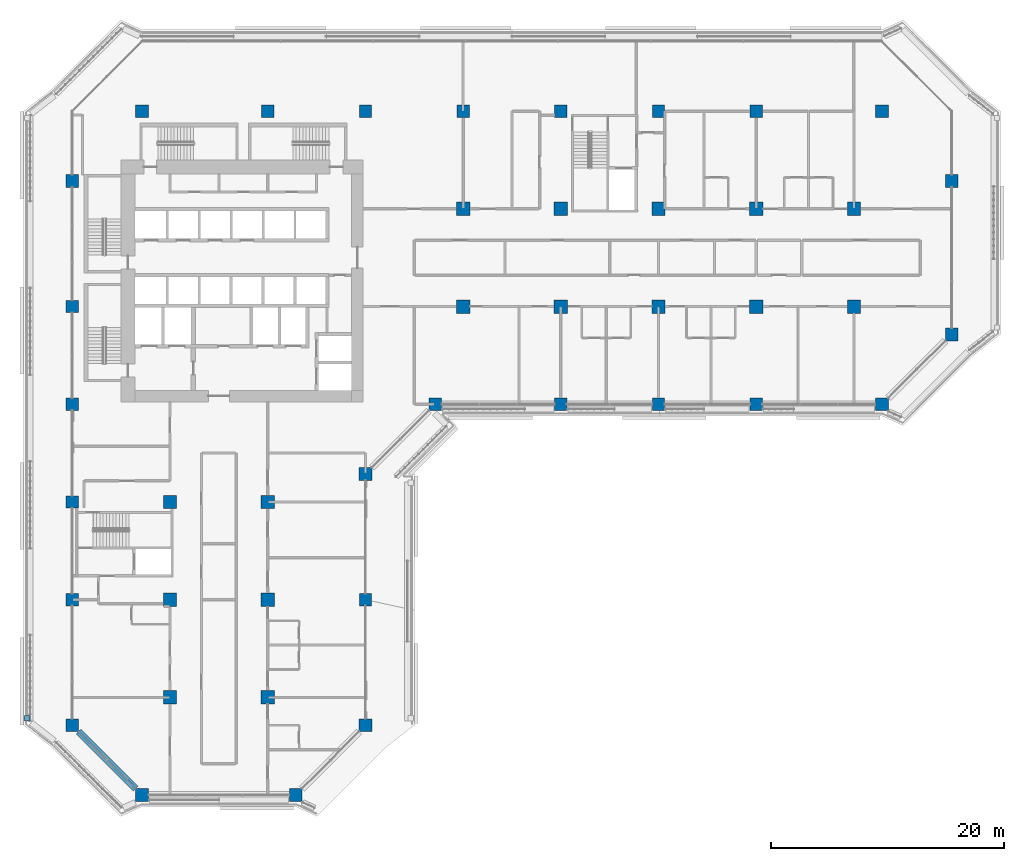
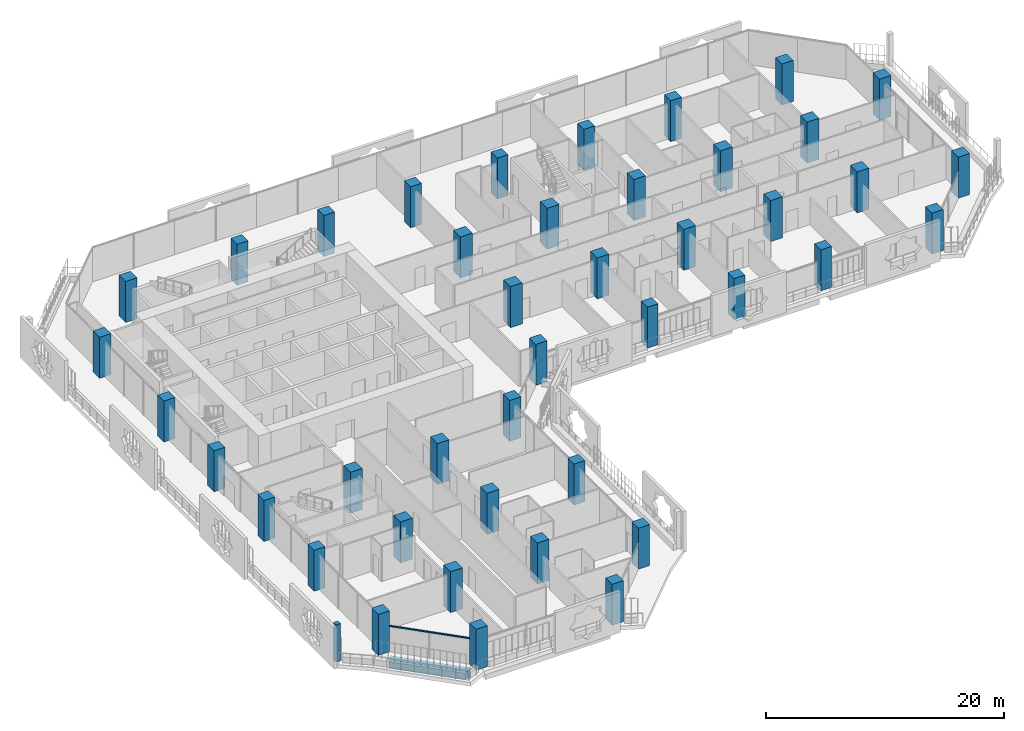
# One storey, part 1 of 25: 42 columns, 2 members, 1 beam, 2 elements without a shape of their own.
"""IFC4 building model written with IfcOpenShell, lengths in metres."""

from ifc_helpers import new_model, si_unit, direction, frame, origin, origin_2d, place, context, subcontext, project, spatial, rectangle, extrude, material, layer, layer_set, material_profile, profile_set, type_object, element, aggregate, save


model = new_model("IFC4")

# Units and contexts
model_context = context("Model", 3, precision=1e-05, world=origin(), true_north=direction((0.0, 1.0)))
body_context = subcontext(model_context, "Body", "Model", "MODEL_VIEW")
ifc_project = project(units=[si_unit("LENGTHUNIT", "METRE"), si_unit("AREAUNIT", "SQUARE_METRE"), si_unit("VOLUMEUNIT", "CUBIC_METRE"), si_unit("PLANEANGLEUNIT", "RADIAN"), si_unit("MASSUNIT", "GRAM", prefix="KILO")], contexts=[model_context])

# Site, building, storey
site_placement = place(None, origin())
site = spatial("IfcSite", under=ifc_project, at=site_placement, CompositionType="ELEMENT")
building_placement = place(site_placement, origin())
building = spatial("IfcBuilding", under=site, at=building_placement, Name="Kawkab Arch Medical Tower", CompositionType="ELEMENT")
storey_placement = place(building_placement, frame((0.0, 0.0, 145.0)))
storey = spatial("IfcBuildingStorey", under=building, at=storey_placement, Name="L33", CompositionType="ELEMENT", Elevation=145.0)

# Columns
ifc_material_1 = material(Name="Concrete C55/67", Category="concrete")
ifc_material_profile_1 = material_profile(ifc_material_1, rectangle(XDim=1.050048828125, YDim=1.050048828125, at=origin_2d()), Name="RC 1050x1050")
ifc_profile_set_1 = profile_set([ifc_material_profile_1], Name="Concrete C55/67")
column_type_1 = type_object("IfcColumnType", Name="RC 1050x1050 column C55/67", PredefinedType="COLUMN", material=ifc_profile_set_1)
for number, where, z_axis, x_axis, name in (
    (1, (16.800048828125, 0.0, 0.0), (0.0, 0.0, 1.0), (1.0, 0.0, 0.0), "Column RC 1050x1050"),
    (2, (25.199951171875, 0.0, 0.0), (0.0, 0.0, 1.0), (1.0, 0.0, 0.0), "Column RC 1050x1050"),
    (3, (33.60009765625, 0.0, 0.0), (0.0, 0.0, 1.0), (1.0, 0.0, 0.0), "Column RC 1050x1050"),
    (4, (42.0, 0.0, 0.0), (0.0, 0.0, 1.0), (1.0, 0.0, 0.0), "Column RC 1050x1050"),
    (5, (50.39990234375, 0.0, 0.0), (0.0, 0.0, 1.0), (1.0, 0.0, 0.0), "Column RC 1050x1050"),
    (6, (58.800048828125, 0.0, 0.0), (0.0, 0.0, 1.0), (1.0, 0.0, 0.0), "Column RC 1050x1050"),
    (7, (0.0, -16.800048828125, 0.0), (0.0, 0.0, 1.0), (1.0, 0.0, 0.0), "Column RC 1050x1050"),
    (8, (0.0, -25.199951171875, 0.0), (0.0, 0.0, 1.0), (1.0, 0.0, 0.0), "Column RC 1050x1050"),
    (9, (42.0, -25.199951171875, 0.0), (0.0, 0.0, 1.0), (1.0, 0.0, 0.0), "Column RC 1050x1050"),
    (10, (50.39990234375, -25.199951171875, 0.0), (0.0, 0.0, 1.0), (1.0, 0.0, 0.0), "Column RC 1050x1050"),
    (11, (58.800048828125, -25.199951171875, 0.0), (0.0, 0.0, 1.0), (1.0, 0.0, 0.0), "Column RC 1050x1050"),
    (12, (0.0, -33.60009765625, 0.0), (0.0, 0.0, 1.0), (1.0, 0.0, 0.0), "Column RC 1050x1050"),
    (13, (0.0, -42.0, 0.0), (0.0, 0.0, 1.0), (1.0, 0.0, 0.0), "Column RC 1050x1050"),
    (14, (25.199951171875, -42.0, 0.0), (0.0, 0.0, 1.0), (1.0, 0.0, 0.0), "Column RC 1050x1050"),
):
    element("IfcColumn", number, at=place(storey_placement, frame(where, z_axis=z_axis, x_axis=x_axis)), inside=storey, type_object=column_type_1, Name=name, PredefinedType="COLUMN", context=body_context, shape_type="SweptSolid", body=[
        extrude(rectangle(XDim=1.050048828125, YDim=1.050048828125, at=origin_2d()), origin(), (0.0, 0.0, 1.0), 4.199951171875),
    ])
ifc_material_2 = material(Name="Concrete C55/67", Category="concrete")
ifc_material_profile_2 = material_profile(ifc_material_2, rectangle(XDim=1.10009765625, YDim=1.10009765625, at=origin_2d()), Name="RC 1100x1100")
ifc_profile_set_2 = profile_set([ifc_material_profile_2], Name="Concrete C55/67")
column_type_2 = type_object("IfcColumnType", Name="RC 1100x1100 column C55/67", PredefinedType="COLUMN", material=ifc_profile_set_2)
for number, where, z_axis, x_axis, name in (
    (15, (6.0, 0.0, 0.0), (0.0, 0.0, 1.0), (1.0, 0.0, 0.0), "Column RC 1100x1100"),
    (16, (69.60009765625, 0.0, 0.0), (0.0, 0.0, 1.0), (1.0, 0.0, 0.0), "Column RC 1100x1100"),
    (17, (0.0, -6.0, 0.0), (0.0, 0.0, 1.0), (1.0, 0.0, 0.0), "Column RC 1100x1100"),
    (18, (75.60009765625, -6.0, 0.0), (0.0, 0.0, 1.0), (1.0, 0.0, 0.0), "Column RC 1100x1100"),
    (19, (75.60009765625, -19.199951171875, 0.0), (0.0, 0.0, 1.0), (1.0, 0.0, 0.0), "Column RC 1100x1100"),
    (20, (31.199951171875, -25.199951171875, 0.0), (0.0, 0.0, 1.0), (1.0, 0.0, 0.0), "Column RC 1100x1100"),
    (21, (69.60009765625, -25.199951171875, 0.0), (0.0, 0.0, 1.0), (1.0, 0.0, 0.0), "Column RC 1100x1100"),
    (22, (25.199951171875, -31.199951171875, 0.0), (0.0, 0.0, 1.0), (1.0, 0.0, 0.0), "Column RC 1100x1100"),
    (23, (0.0, -52.800048828125, 0.0), (0.0, 0.0, 1.0), (1.0, 0.0, 0.0), "Column RC 1100x1100"),
    (24, (25.199951171875, -52.800048828125, 0.0), (0.0, 0.0, 1.0), (1.0, 0.0, 0.0), "Column RC 1100x1100"),
    (25, (6.0, -58.800048828125, 0.0), (0.0, 0.0, 1.0), (1.0, 0.0, 0.0), "Column RC 1100x1100"),
    (26, (19.199951171875, -58.800048828125, 0.0), (0.0, 0.0, 1.0), (1.0, 0.0, 0.0), "Column RC 1100x1100"),
):
    element("IfcColumn", number, at=place(storey_placement, frame(where, z_axis=z_axis, x_axis=x_axis)), inside=storey, type_object=column_type_2, Name=name, PredefinedType="COLUMN", context=body_context, shape_type="SweptSolid", body=[
        extrude(rectangle(XDim=1.10009765625, YDim=1.10009765625, at=origin_2d()), origin(), (0.0, 0.0, 1.0), 4.199951171875),
    ])
ifc_material_3 = material(Name="Concrete C55/67", Category="concrete")
ifc_material_profile_3 = material_profile(ifc_material_3, rectangle(XDim=1.14990234375, YDim=1.14990234375, at=origin_2d()), Name="RC 1150x1150")
ifc_profile_set_3 = profile_set([ifc_material_profile_3], Name="Concrete C55/67")
column_type_3 = type_object("IfcColumnType", Name="RC 1150x1150 column C55/67", PredefinedType="COLUMN", material=ifc_profile_set_3)
for number, where, z_axis, x_axis, name in (
    (27, (33.60009765625, -8.39990234375, 0.0), (0.0, 0.0, 1.0), (1.0, 0.0, 0.0), "Column RC 1150x1150"),
    (28, (42.0, -8.39990234375, 0.0), (0.0, 0.0, 1.0), (1.0, 0.0, 0.0), "Column RC 1150x1150"),
    (29, (50.39990234375, -8.39990234375, 0.0), (0.0, 0.0, 1.0), (1.0, 0.0, 0.0), "Column RC 1150x1150"),
    (30, (58.800048828125, -8.39990234375, 0.0), (0.0, 0.0, 1.0), (1.0, 0.0, 0.0), "Column RC 1150x1150"),
    (31, (67.199951171875, -8.39990234375, 0.0), (0.0, 0.0, 1.0), (1.0, 0.0, 0.0), "Column RC 1150x1150"),
    (32, (33.60009765625, -16.800048828125, 0.0), (0.0, 0.0, 1.0), (1.0, 0.0, 0.0), "Column RC 1150x1150"),
    (33, (42.0, -16.800048828125, 0.0), (0.0, 0.0, 1.0), (1.0, 0.0, 0.0), "Column RC 1150x1150"),
    (34, (50.39990234375, -16.800048828125, 0.0), (0.0, 0.0, 1.0), (1.0, 0.0, 0.0), "Column RC 1150x1150"),
    (35, (58.800048828125, -16.800048828125, 0.0), (0.0, 0.0, 1.0), (1.0, 0.0, 0.0), "Column RC 1150x1150"),
    (36, (67.199951171875, -16.800048828125, 0.0), (0.0, 0.0, 1.0), (1.0, 0.0, 0.0), "Column RC 1150x1150"),
    (37, (8.39990234375, -33.60009765625, 0.0), (0.0, 0.0, 1.0), (1.0, 0.0, 0.0), "Column RC 1150x1150"),
    (38, (16.800048828125, -33.60009765625, 0.0), (0.0, 0.0, 1.0), (1.0, 0.0, 0.0), "Column RC 1150x1150"),
    (39, (8.39990234375, -42.0, 0.0), (0.0, 0.0, 1.0), (1.0, 0.0, 0.0), "Column RC 1150x1150"),
    (40, (16.800048828125, -42.0, 0.0), (0.0, 0.0, 1.0), (1.0, 0.0, 0.0), "Column RC 1150x1150"),
    (41, (8.39990234375, -50.39990234375, 0.0), (0.0, 0.0, 1.0), (1.0, 0.0, 0.0), "Column RC 1150x1150"),
    (42, (16.800048828125, -50.39990234375, 0.0), (0.0, 0.0, 1.0), (1.0, 0.0, 0.0), "Column RC 1150x1150"),
):
    element("IfcColumn", number, at=place(storey_placement, frame(where, z_axis=z_axis, x_axis=x_axis)), inside=storey, type_object=column_type_3, Name=name, PredefinedType="COLUMN", context=body_context, shape_type="SweptSolid", body=[
        extrude(rectangle(XDim=1.14990234375, YDim=1.14990234375, at=origin_2d()), origin(), (0.0, 0.0, 1.0), 4.199951171875),
    ])

# Curtain wall, member
ifc_material_4 = material(Name="Bronze anodised aluminium curtain wall frame", Category="aluminium")
ifc_layer_1 = layer(ifc_material_4, 0.159912109375)
ifc_layer_set_1 = layer_set([ifc_layer_1], Name="Bronze anodised aluminium curtain wall frame")
curtain_wall_type_1 = type_object("IfcCurtainWallType", Name="CW2 chamfer curtain wall", PredefinedType="NOTDEFINED", material=ifc_layer_set_1)
placement = place(storey_placement, origin())
curtain_wall_1 = element("IfcCurtainWall", 43, at=placement, inside=storey, type_object=curtain_wall_type_1, Name="CW2 Chamfer curtain wall R02", PredefinedType="NOTDEFINED")
ifc_material_5 = material(Name="Bronze anodised aluminium curtain wall frame", Category="aluminium")
ifc_material_profile_4 = material_profile(ifc_material_5, rectangle(XDim=0.06005859375, YDim=0.139892578125, at=origin_2d()), Name="AL 60x140")
ifc_profile_set_4 = profile_set([ifc_material_profile_4], Name="Bronze anodised aluminium curtain wall frame")
member_type_1 = type_object("IfcMemberType", Name="CW2 transom 140 x 60", PredefinedType="USERDEFINED", material=ifc_profile_set_4)
member_1_placement = place(storey_placement, frame((0.550048828125, -53.35009765625, 2.6298828125), z_axis=(0.707106781187, -0.707106781187, 0.0), x_axis=(0.707106781187, 0.707106781187, 0.0)))
member_1 = element("IfcMember", 44, at=member_1_placement, type_object=member_type_1, Name="CW2 transom 1", ObjectType="TRANSOM", PredefinedType="USERDEFINED", context=body_context, shape_type="SweptSolid", body=[
    extrude(rectangle(XDim=0.06005859375, YDim=0.139892578125, at=origin_2d()), origin(), (0.0, 0.0, 1.0), 6.929443359375),
])
aggregate(curtain_wall_1, [member_1])

ifc_material_6 = material(Name="Bronze anodised aluminium climber frame, planted", Category="aluminium")
ifc_layer_2 = layer(ifc_material_6, 0.449951171875)
ifc_layer_set_2 = layer_set([ifc_layer_2], Name="Bronze anodised aluminium climber frame, planted")
curtain_wall_type_2 = type_object("IfcCurtainWallType", Name="Planted climber frame", PredefinedType="NOTDEFINED", material=ifc_layer_set_2)
curtain_wall_2 = element("IfcCurtainWall", 45, at=placement, inside=storey, type_object=curtain_wall_type_2, Name="Planted climber frame L33", PredefinedType="NOTDEFINED")
ifc_material_7 = material(Name="Bronze anodised aluminium climber frame, planted", Category="aluminium")
ifc_material_profile_5 = material_profile(ifc_material_7, rectangle(XDim=0.449951171875, YDim=0.449951171875, at=origin_2d()), Name="Post 450x450")
ifc_profile_set_5 = profile_set([ifc_material_profile_5], Name="Bronze anodised aluminium climber frame, planted")
member_type_2 = type_object("IfcMemberType", Name="Planted climber post 450 x 450", PredefinedType="MULLION", material=ifc_profile_set_5)
member_2_placement = place(storey_placement, frame((-3.89990234375, -52.202880859375, 0.0), z_axis=(0.0, 0.0, 1.0), x_axis=(1.0, 0.0, 0.0)))
member_2 = element("IfcMember", 46, at=member_2_placement, type_object=member_type_2, Name="Planted climber post L33.LOG-01-01.1", PredefinedType="MULLION", context=body_context, shape_type="SweptSolid", body=[
    extrude(rectangle(XDim=0.449951171875, YDim=0.449951171875, at=origin_2d()), origin(), (0.0, 0.0, 1.0), 3.800048828125),
])
aggregate(curtain_wall_2, [member_2])

# Beam
ifc_material_8 = material(Name="Concrete C55/67", Category="concrete")
ifc_material_profile_6 = material_profile(ifc_material_8, rectangle(XDim=0.60009765625, YDim=0.89990234375, at=origin_2d()), Name="RC 600x900")
ifc_profile_set_6 = profile_set([ifc_material_profile_6], Name="Concrete C55/67")
beam_type = type_object("IfcBeamType", Name="RC 600x900 beam C55/67", PredefinedType="BEAM", material=ifc_profile_set_6)
beam_placement = place(storey_placement, frame((5.449951171875, -58.25, -1.050048828125), z_axis=(-0.707106781187, 0.707106781187, 0.0), x_axis=(-0.707106781187, -0.707106781187, 0.0)))
element("IfcBeam", 47, at=beam_placement, inside=storey, type_object=beam_type, Name="Overhang edge beam L33-09", PredefinedType="BEAM", context=body_context, shape_type="SweptSolid", body=[
    extrude(rectangle(XDim=0.60009765625, YDim=0.89990234375, at=origin_2d()), origin(), (0.0, 0.0, 1.0), 6.929443359375),
])

save(model, "model.ifc")
